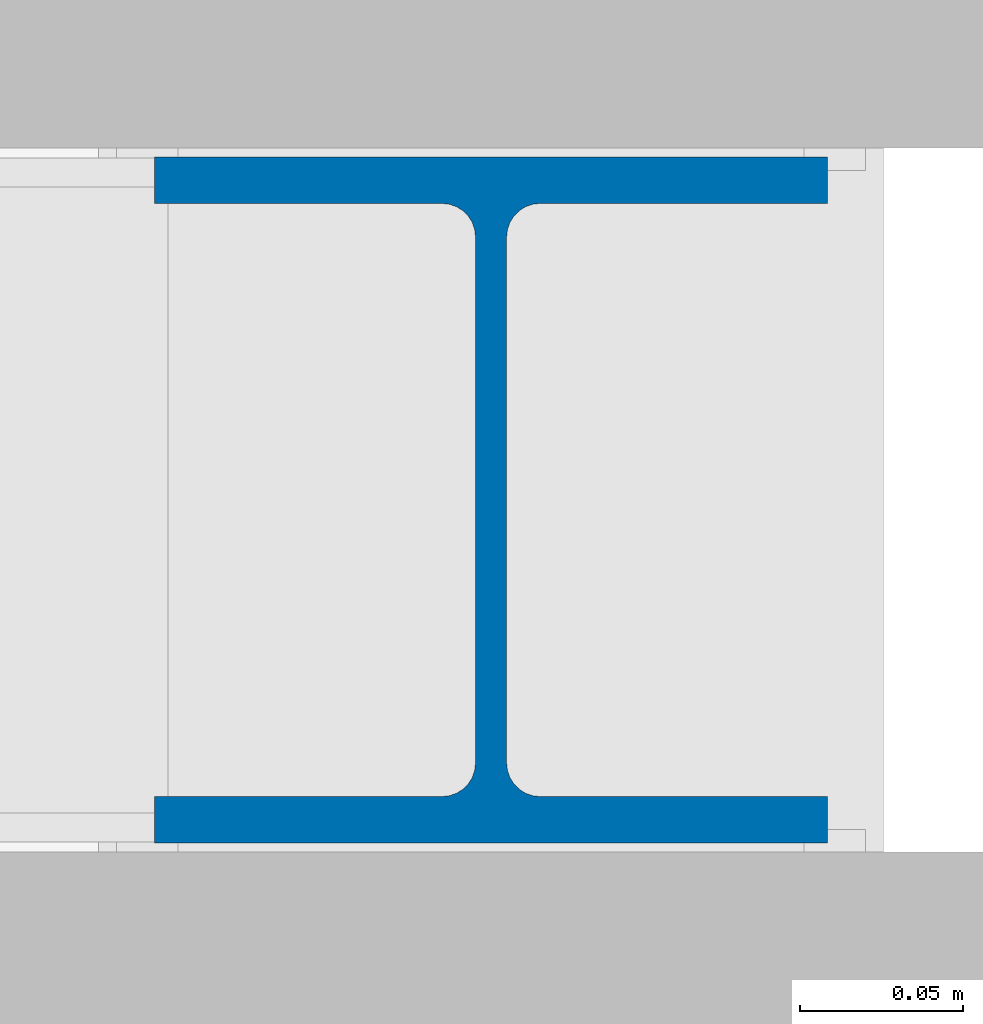
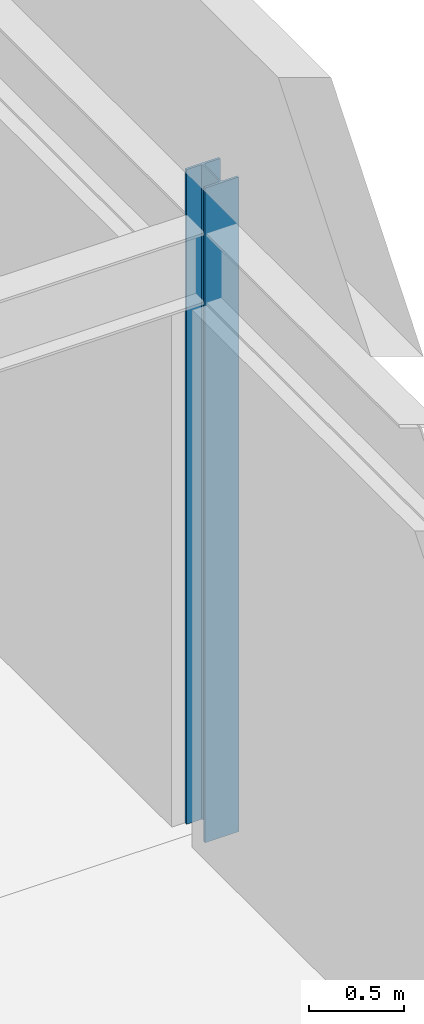
# One storey, part 9 of 23: 1 column.
"""IFC4 building model written with IfcOpenShell, lengths in metres."""

import ifcopenshell
import ifcopenshell.guid

model = None  # the IFC model being written
_history = None  # IfcOwnerHistory: only IFC2X3 demands one
_inside = {}  # id of a spatial element -> (the spatial element, [elements in it])
_under = {}  # id of a project, library or spatial element -> (it, [spatial elements below it])
_declared = {}  # id of a project -> (the project, [libraries it declares])
_typed = {}  # id of a type object -> (the type object, [elements of that type])
_made_of = {}  # id of a material, layer set ... -> (it, [elements and type objects made of it])


def new_model(schema):
    """Start an empty IFC model of exactly this schema.

    Asked for "IFC4X3", IfcOpenShell would pick the latest addendum, in which some entities
    have other attributes; the version numbers below select the first issue.
    IFC2X3 requires an IfcOwnerHistory on every rooted entity: one is made here for all.
    """
    global model, _history
    if schema == "IFC4X3":
        model = ifcopenshell.file(schema_version=(4, 3, 0, 0))
    else:
        model = ifcopenshell.file(schema=schema)
    _inside.clear()
    _under.clear()
    _declared.clear()
    _typed.clear()
    _made_of.clear()
    _history = None
    if model.schema == "IFC2X3":
        org = make("IfcOrganization", Name="unknown")
        user = make(
            "IfcPersonAndOrganization",
            ThePerson=make("IfcPerson", FamilyName="unknown"),
            TheOrganization=org,
        )
        app = make(
            "IfcApplication",
            ApplicationDeveloper=org,
            Version="unknown",
            ApplicationFullName="unknown",
            ApplicationIdentifier="unknown",
        )
        _history = make(
            "IfcOwnerHistory",
            OwningUser=user,
            OwningApplication=app,
            ChangeAction="ADDED",
            CreationDate=0,
        )
    return model


def make(cls, **values):
    """One entity of the class cls with the attributes given. An attribute that is None is left unset."""
    return model.create_entity(
        cls, **{name: value for name, value in values.items() if value is not None}
    )


def rooted(cls, **values):
    """An entity with a GlobalId (a new one), such as an element, a storey or a relation."""
    return make(cls, GlobalId=ifcopenshell.guid.new(), OwnerHistory=_history, **values)


def si_unit(unit_type, name, prefix=None):
    """IfcSIUnit, for example si_unit("LENGTHUNIT", "METRE", prefix="MILLI")."""
    return make("IfcSIUnit", UnitType=unit_type, Prefix=prefix, Name=name)


def assignment(units):
    """IfcUnitAssignment: the units of a project."""
    return None if units is None else make("IfcUnitAssignment", Units=units)


def point(xyz):
    """IfcCartesianPoint."""
    return None if xyz is None else make("IfcCartesianPoint", Coordinates=xyz)


def direction(xyz):
    """IfcDirection."""
    return None if xyz is None else make("IfcDirection", DirectionRatios=xyz)


def frame(location, z_axis=None, x_axis=None):
    """IfcAxis2Placement3D, a coordinate frame: its origin and axes. An axis left out is left unset."""
    return make(
        "IfcAxis2Placement3D",
        Location=point(location),
        Axis=direction(z_axis),
        RefDirection=direction(x_axis),
    )


def frame_2d(location, x_axis=None):
    """IfcAxis2Placement2D, a coordinate frame in the plane: its origin and x axis."""
    return make(
        "IfcAxis2Placement2D", Location=point(location), RefDirection=direction(x_axis)
    )


def origin():
    """The frame at (0, 0, 0) with its axes left unset."""
    return frame((0.0, 0.0, 0.0))


def origin_2d():
    """The frame at (0, 0) in the plane with its x axis left unset."""
    return frame_2d((0.0, 0.0))


def place(relative_to, where):
    """IfcLocalPlacement: puts the frame where relative to a parent placement (None: the world)."""
    return make(
        "IfcLocalPlacement", PlacementRelTo=relative_to, RelativePlacement=where
    )


def context(
    kind, dimensions, precision=None, world=None, true_north=None, identifier=None
):
    """IfcGeometricRepresentationContext, for example the 3D "Model" context."""
    return make(
        "IfcGeometricRepresentationContext",
        ContextIdentifier=identifier,
        ContextType=kind,
        CoordinateSpaceDimension=dimensions,
        Precision=precision,
        WorldCoordinateSystem=world,
        TrueNorth=true_north,
    )


def subcontext(parent, identifier, kind, view, scale=None):
    """IfcGeometricRepresentationSubContext, for example "Body" below "Model"."""
    return make(
        "IfcGeometricRepresentationSubContext",
        ContextIdentifier=identifier,
        ContextType=kind,
        ParentContext=parent,
        TargetScale=scale,
        TargetView=view,
    )


def project(units=None, contexts=None):
    """IfcProject with its units and contexts."""
    return rooted(
        "IfcProject",
        Name="project",
        RepresentationContexts=contexts,
        UnitsInContext=assignment(units),
    )


def spatial(cls, under=None, at=None, **own):
    """A site, building, storey or space (cls), placed at a placement, below another one or the project."""
    s = rooted(cls, ObjectPlacement=at, **own)
    if under is not None:
        _under.setdefault(under.id(), (under, []))[1].append(s)
    return s


def profile(cls, at=None, kind="AREA", **sizes):
    """A parametric profile (cls). Its sizes go by their IFC names, for example OverallWidth=200.0."""
    return make(cls, ProfileType=kind, Position=at, **sizes)


def i_section(**sizes):
    """IfcIShapeProfileDef."""
    return profile("IfcIShapeProfileDef", **sizes)


def extrude(swept, where, along, depth):
    """IfcExtrudedAreaSolid: the profile swept, set in the frame where, extruded along a direction by depth."""
    return make(
        "IfcExtrudedAreaSolid",
        SweptArea=swept,
        Position=where,
        ExtrudedDirection=direction(along),
        Depth=depth,
    )


def shape(context_of_items, identifier, shape_type, items):
    """IfcShapeRepresentation: the items that make up one representation, for example the "Body"."""
    return make(
        "IfcShapeRepresentation",
        ContextOfItems=context_of_items,
        RepresentationIdentifier=identifier,
        RepresentationType=shape_type,
        Items=items,
    )


def material(Name=None, Category=None):
    """IfcMaterial."""
    return make("IfcMaterial", Name=Name, Category=Category)


def material_profile(
    of_material, cross_section, Name=None, Category=None, Priority=None
):
    """IfcMaterialProfile: a cross section and its material."""
    return make(
        "IfcMaterialProfile",
        Name=Name,
        Material=of_material,
        Profile=cross_section,
        Priority=Priority,
        Category=Category,
    )


def profile_set(profiles, Name=None, composite=None):
    """IfcMaterialProfileSet."""
    return make(
        "IfcMaterialProfileSet",
        Name=Name,
        MaterialProfiles=profiles,
        CompositeProfile=composite,
    )


def made_of(thing, what):
    """Note that an element or type object is made of a material, layer set ...; save() writes the relation."""
    if what is not None:
        _made_of.setdefault(what.id(), (what, []))[1].append(thing)
    return thing


def type_object(cls, material=None, **own):
    """A type object (cls), such as IfcWallType, which elements share."""
    return made_of(rooted(cls, **own), material)


def element(
    cls,
    number,
    at=None,
    inside=None,
    cuts=None,
    type_object=None,
    material=None,
    context=None,
    identifier="Body",
    shape_type=None,
    held_by="IfcProductDefinitionShape",
    body=None,
    shapes=None,
    **own,
):
    """One element of the class cls, such as IfcWall. Its Tag is "e" and its number.

    at: its placement. inside: the storey or other place that contains it. cuts: it is an
    opening in that element (IfcRelVoidsElement). A single representation is given by context,
    identifier, shape_type and body (its items); several are given by shapes. held_by: the class
    of the entity that holds the representations. save() writes the other relations.
    """
    e = rooted(cls, Tag="e%d" % number, ObjectPlacement=at, **own)
    if body is not None:
        shapes = [shape(context, identifier, shape_type, body)]
    if shapes is not None:
        e.Representation = make(held_by, Representations=shapes)
    if inside is not None:
        _inside.setdefault(inside.id(), (inside, []))[1].append(e)
    if cuts is not None:
        rooted(
            "IfcRelVoidsElement", RelatingBuildingElement=cuts, RelatedOpeningElement=e
        )
    if type_object is not None:
        _typed.setdefault(type_object.id(), (type_object, []))[1].append(e)
    return made_of(e, material)


def aggregate(whole, parts):
    """IfcRelAggregates: a whole, such as a stair, and the parts it consists of."""
    return rooted("IfcRelAggregates", RelatingObject=whole, RelatedObjects=parts)


def save(model, path):
    """Write the relations noted so far, then the file.

    IfcRelAggregates (storeys below a building ...), IfcRelContainedInSpatialStructure (elements
    in a storey), IfcRelDefinesByType, IfcRelAssociatesMaterial and IfcRelDeclares: one each for
    every whole, place, type object, material and project.
    """
    for whole, parts in _under.values():
        aggregate(whole, parts)
    for where, things in _inside.values():
        rooted(
            "IfcRelContainedInSpatialStructure",
            RelatedElements=things,
            RelatingStructure=where,
        )
    for kind, things in _typed.values():
        rooted("IfcRelDefinesByType", RelatedObjects=things, RelatingType=kind)
    for what, things in _made_of.values():
        rooted("IfcRelAssociatesMaterial", RelatedObjects=things, RelatingMaterial=what)
    for by, libraries in _declared.values():
        rooted("IfcRelDeclares", RelatingContext=by, RelatedDefinitions=libraries)
    model.write(path)


model = new_model("IFC4")

# Units and contexts
model_context = context("Model", 3, precision=1e-05, world=origin(), true_north=direction((0.0, 1.0)))
body_context = subcontext(model_context, "Body", "Model", "MODEL_VIEW")
ifc_project = project(units=[si_unit("LENGTHUNIT", "METRE"), si_unit("AREAUNIT", "SQUARE_METRE"), si_unit("VOLUMEUNIT", "CUBIC_METRE"), si_unit("PLANEANGLEUNIT", "RADIAN"), si_unit("MASSUNIT", "GRAM", prefix="KILO")], contexts=[model_context])

# Site, building, storey
site_placement = place(None, origin())
site = spatial("IfcSite", under=ifc_project, at=site_placement, CompositionType="ELEMENT")
building_placement = place(site_placement, origin())
building = spatial("IfcBuilding", under=site, at=building_placement, Name="Kisiwana Market Hall", CompositionType="ELEMENT")
storey_placement = place(building_placement, frame((0.0, 0.0, 65.699951171875)))
storey = spatial("IfcBuildingStorey", under=building, at=storey_placement, Name="L15", CompositionType="ELEMENT", Elevation=65.699951171875)

# Column
ifc_material = material(Name="Steel S355", Category="steel")
ifc_material_profile = material_profile(ifc_material, i_section(OverallWidth=0.205810546875, OverallDepth=0.209716796875, WebThickness=0.009521484375, FlangeThickness=0.01416015625, FilletRadius=0.01025390625, at=origin_2d()), Name="UC 203x203x60")
ifc_profile_set = profile_set([ifc_material_profile], Name="Steel S355")
column_type = type_object("IfcColumnType", Name="COL-STL-UC060", PredefinedType="COLUMN", material=ifc_profile_set)
column_placement = place(storey_placement, frame((198.0, 60.0, 0.0), z_axis=(0.0, 0.0, 1.0), x_axis=(1.0, 0.0, 0.0)))
element("IfcColumn", 1, at=column_placement, inside=storey, type_object=column_type, Name="Column H/23 (L15) C-1505", PredefinedType="COLUMN", context=body_context, shape_type="SweptSolid", body=[
    extrude(i_section(OverallWidth=0.205810546875, OverallDepth=0.209716796875, WebThickness=0.009521484375, FlangeThickness=0.01416015625, FilletRadius=0.01025390625, at=origin_2d()), origin(), (0.0, 0.0, 1.0), 4.199951171875),
])

save(model, "model.ifc")
